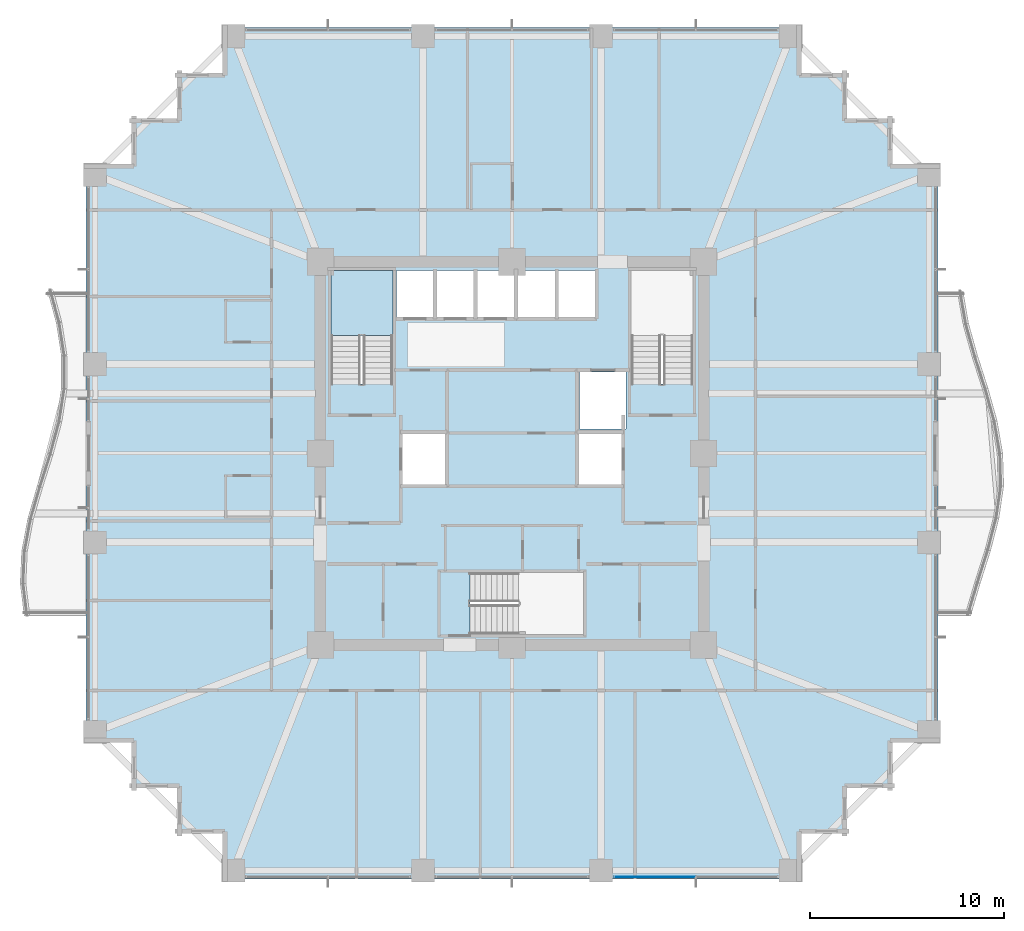
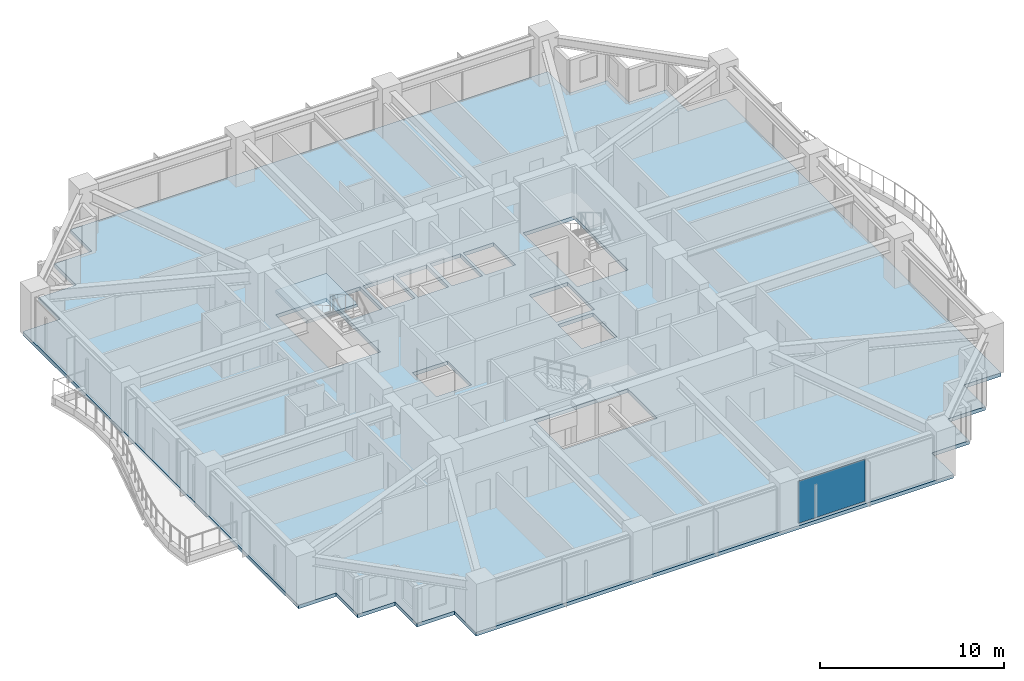
# One storey, part 29 of 38: 2 slabs, 1 plate, 2 elements without a shape of their own.
"""IFC4 building model written with IfcOpenShell, lengths in metres."""

from ifc_helpers import new_model, si_unit, direction, frame, origin, origin_2d, place, context, subcontext, project, spatial, polyline, rectangle, outline, extrude, material, layer, layer_set, type_object, element, aggregate, save


model = new_model("IFC4")

# Units and contexts
model_context = context("Model", 3, precision=1e-05, world=origin(), true_north=direction((0.0, 1.0)))
body_context = subcontext(model_context, "Body", "Model", "MODEL_VIEW")
ifc_project = project(units=[si_unit("LENGTHUNIT", "METRE"), si_unit("AREAUNIT", "SQUARE_METRE"), si_unit("VOLUMEUNIT", "CUBIC_METRE"), si_unit("PLANEANGLEUNIT", "RADIAN"), si_unit("MASSUNIT", "GRAM", prefix="KILO")], contexts=[model_context])

# Site, building, storey
site_placement = place(None, origin())
site = spatial("IfcSite", under=ifc_project, at=site_placement, CompositionType="ELEMENT")
building_placement = place(site_placement, origin())
building = spatial("IfcBuilding", under=site, at=building_placement, Name="Kolvaren Belvedere", CompositionType="ELEMENT")
storey_placement = place(building_placement, frame((0.0, 0.0, 60.10009765625)))
storey = spatial("IfcBuildingStorey", under=building, at=storey_placement, Name="L17", CompositionType="ELEMENT", Elevation=60.10009765625)

# Curtain wall, plate
ifc_material_1 = material(Name="Anodised pale-metal aluminium AA 6063-T6", Category="aluminium")
curtain_wall_type = type_object("IfcCurtainWallType", Name="CW-Z1-LOW", PredefinedType="NOTDEFINED", material=ifc_material_1)
curtain_wall_placement = place(storey_placement, origin())
curtain_wall = element("IfcCurtainWall", 1, at=curtain_wall_placement, inside=storey, type_object=curtain_wall_type, Name="L17 Unitised Curtain Wall FCW-L17-S-B1", PredefinedType="NOTDEFINED")
ifc_material_2 = material(Name="Low-iron triple insulated glass", Category="glass")
ifc_layer_1 = layer(ifc_material_2, 0.028076171875)
ifc_layer_set_1 = layer_set([ifc_layer_1], Name="Low-iron triple insulated glass")
plate_type = type_object("IfcPlateType", Name="CW-PNL-VIS28", PredefinedType="CURTAIN_PANEL", material=ifc_layer_set_1)
plate_placement = place(storey_placement, frame((7.37744140625, -21.8798828125, 0.079833984375), z_axis=(0.0, 0.0, 1.0), x_axis=(-1.0, 0.0, 0.0)))
plate = element("IfcPlate", 2, at=plate_placement, type_object=plate_type, Name="FCW-L17-S-B1 Vision Glazing Panel 2", PredefinedType="CURTAIN_PANEL", context=body_context, shape_type="SweptSolid", body=[
    extrude(rectangle(XDim=4.1650390625, YDim=0.028076171875, at=origin_2d()), origin(), (0.0, 0.0, 1.0), 2.7900390625),
])
aggregate(curtain_wall, [plate])

# Slab
ifc_material_3 = material(Name="Concrete C50/60", Category="concrete")
ifc_layer_2 = layer(ifc_material_3, 0.239990234375)
ifc_layer_set_2 = layer_set([ifc_layer_2], Name="Concrete C50/60")
slab_type_1 = type_object("IfcSlabType", Name="SL-FLR-240", PredefinedType="FLOOR", material=ifc_layer_set_2)
slab_1_placement = place(storey_placement, frame((0.0, 0.0, -0.239990234375)))
element("IfcSlab", 3, at=slab_1_placement, inside=storey, type_object=slab_type_1, Name="L17 Primary Structural Slab", PredefinedType="FLOOR", context=body_context, shape_type="SweptSolid", body=[
    extrude(outline(polyline([(-14.949951171875, -22.0), (14.949951171875, -22.0), (14.949951171875, -19.64990234375), (17.300048828125, -19.64990234375), (17.300048828125, -17.300048828125), (19.64990234375, -17.300048828125), (19.64990234375, -14.949951171875), (22.0, -14.949951171875), (22.0, 14.949951171875), (19.64990234375, 14.949951171875), (19.64990234375, 17.300048828125), (17.300048828125, 17.300048828125), (17.300048828125, 19.64990234375), (14.949951171875, 19.64990234375), (14.949951171875, 22.0), (-14.949951171875, 22.0), (-14.949951171875, 19.64990234375), (-17.300048828125, 19.64990234375), (-17.300048828125, 17.300048828125), (-19.64990234375, 17.300048828125), (-19.64990234375, 14.949951171875), (-22.0, 14.949951171875), (-22.0, -14.949951171875), (-19.64990234375, -14.949951171875), (-19.64990234375, -17.300048828125), (-17.300048828125, -17.300048828125), (-17.300048828125, -19.64990234375), (-14.949951171875, -19.64990234375), (-14.949951171875, -22.0)]), holes=[polyline([(-9.35009765625, 3.580078125), (-6.159912109375, 3.580078125), (-6.159912109375, 9.449951171875), (-9.35009765625, 9.449951171875), (-9.35009765625, 3.580078125)]), polyline([(6.159912109375, 3.580078125), (9.35009765625, 3.580078125), (9.35009765625, 9.449951171875), (6.159912109375, 9.449951171875), (6.159912109375, 3.580078125)]), polyline([(-2.169921875, -9.35009765625), (3.699951171875, -9.35009765625), (3.699951171875, -6.159912109375), (-2.169921875, -6.159912109375), (-2.169921875, -9.35009765625)]), polyline([(-5.64990234375, -1.60009765625), (-3.449951171875, -1.60009765625), (-3.449951171875, 1.0), (-5.64990234375, 1.0), (-5.64990234375, -1.60009765625)]), polyline([(3.5, 1.25), (5.89990234375, 1.25), (5.89990234375, 4.199951171875), (3.5, 4.199951171875), (3.5, 1.25)]), polyline([(3.449951171875, -1.60009765625), (5.64990234375, -1.60009765625), (5.64990234375, 1.0), (3.449951171875, 1.0), (3.449951171875, -1.60009765625)]), polyline([(-5.9599609375, 7.050048828125), (-4.06005859375, 7.050048828125), (-4.06005859375, 9.449951171875), (-5.9599609375, 9.449951171875), (-5.9599609375, 7.050048828125)]), polyline([(-3.8798828125, 7.050048828125), (-1.97998046875, 7.050048828125), (-1.97998046875, 9.449951171875), (-3.8798828125, 9.449951171875), (-3.8798828125, 7.050048828125)]), polyline([(-1.800048828125, 7.050048828125), (0.10009765625, 7.050048828125), (0.10009765625, 9.449951171875), (-1.800048828125, 9.449951171875), (-1.800048828125, 7.050048828125)]), polyline([(0.320068359375, 7.050048828125), (2.219970703125, 7.050048828125), (2.219970703125, 9.449951171875), (0.320068359375, 9.449951171875), (0.320068359375, 7.050048828125)]), polyline([(2.39990234375, 7.050048828125), (4.300048828125, 7.050048828125), (4.300048828125, 9.449951171875), (2.39990234375, 9.449951171875), (2.39990234375, 7.050048828125)])]), origin(), (0.0, 0.0, 1.0), 0.239990234375),
])

# Stair, slab
ifc_material_4 = material(Name="Concrete C50/60", Category="concrete")
stair_type = type_object("IfcStairType", Name="ST-CORE-1520", PredefinedType="HALF_TURN_STAIR", material=ifc_material_4)
stair_placement = place(storey_placement, origin())
stair = element("IfcStair", 4, at=stair_placement, inside=storey, type_object=stair_type, Name="L17 Protected Exit Stair ST-1", PredefinedType="HALF_TURN_STAIR")
ifc_material_5 = material(Name="Concrete C50/60", Category="concrete")
ifc_layer_3 = layer(ifc_material_5, 0.260009765625)
ifc_layer_set_3 = layer_set([ifc_layer_3], Name="Concrete C50/60")
slab_type_2 = type_object("IfcSlabType", Name="SL-LAND-260", PredefinedType="LANDING", material=ifc_layer_set_3)
slab_2_placement = place(storey_placement, frame((0.0, 0.0, 1.449951171875)))
slab_2 = element("IfcSlab", 5, at=slab_2_placement, type_object=slab_type_2, Name="ST-1 landing 1", PredefinedType="LANDING", context=body_context, shape_type="SweptSolid", body=[
    extrude(outline(polyline([(-6.159912109375, 6.090087890625), (-6.159912109375, 9.449951171875), (-9.35009765625, 9.449951171875), (-9.35009765625, 6.090087890625), (-6.159912109375, 6.090087890625)])), origin(), (0.0, 0.0, 1.0), 0.199951171875),
])
aggregate(stair, [slab_2])

save(model, "model.ifc")
